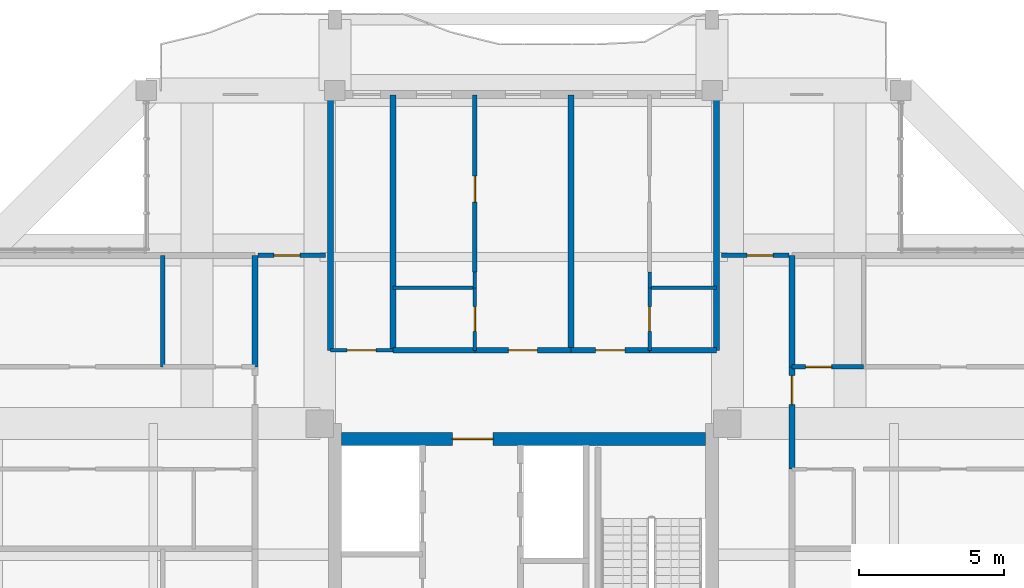
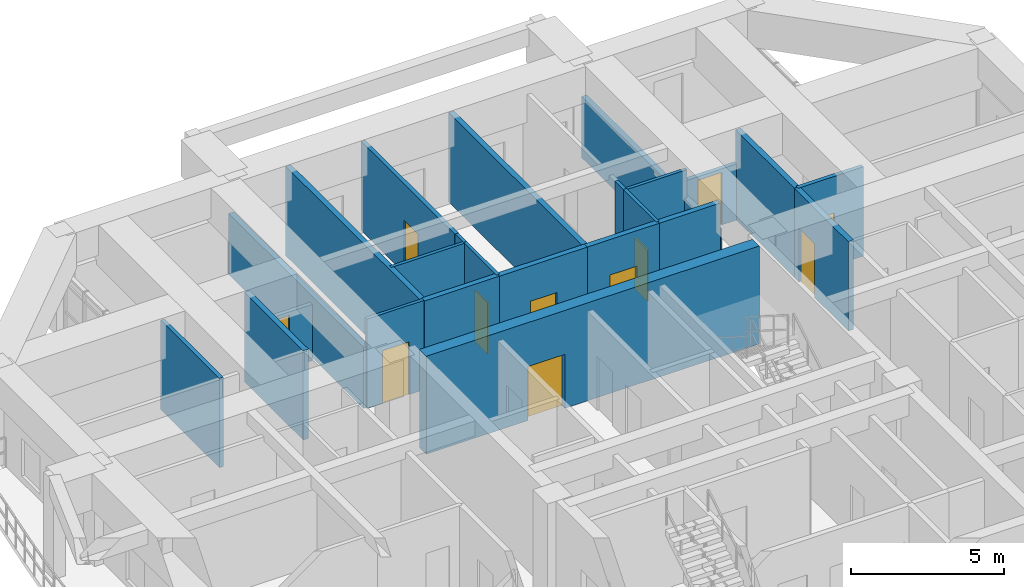
# One storey, part 15 of 22: 24 walls, 11 doors, 11 openings.
"""IFC4 building model written with IfcOpenShell, lengths in metres."""

from ifc_helpers import new_model, si_unit, direction, frame, frame_2d, origin, place, context, subcontext, project, spatial, rectangle, extrude, source, transform, mapped, material, layer, layer_set, type_object, element, fill, save


model = new_model("IFC4")

# Units and contexts
model_context = context("Model", 3, precision=1e-05, world=origin(), true_north=direction((0.0, 1.0)))
body_context = subcontext(model_context, "Body", "Model", "MODEL_VIEW")
ifc_project = project(units=[si_unit("LENGTHUNIT", "METRE"), si_unit("AREAUNIT", "SQUARE_METRE"), si_unit("VOLUMEUNIT", "CUBIC_METRE"), si_unit("PLANEANGLEUNIT", "RADIAN"), si_unit("MASSUNIT", "GRAM", prefix="KILO")], contexts=[model_context])

# Site, building, storey
site_placement = place(None, origin())
site = spatial("IfcSite", under=ifc_project, at=site_placement, CompositionType="ELEMENT")
building_placement = place(site_placement, origin())
building = spatial("IfcBuilding", under=site, at=building_placement, Name="Saelheon Loggia Tower", CompositionType="ELEMENT")
storey_placement = place(building_placement, frame((0.0, 0.0, 216.300048828125)))
storey = spatial("IfcBuildingStorey", under=building, at=storey_placement, Name="L67", CompositionType="ELEMENT", Elevation=216.300048828125)

# Wall, opening, door
ifc_material_1 = material(Name="Concrete C45/55", Category="concrete")
ifc_layer_1 = layer(ifc_material_1, 0.449951171875)
ifc_layer_set_1 = layer_set([ifc_layer_1], Name="Concrete C45/55")
wall_type_1 = type_object("IfcWallType", Name="Wall_CoreShear_450", PredefinedType="SHEAR", material=ifc_layer_set_1)
wall_1_placement = place(storey_placement, frame((31.72509765625, 36.0, 0.0), z_axis=(0.0, 0.0, 1.0), x_axis=(1.0, 0.0, 0.0)))
wall_1 = element("IfcWall", 1, at=wall_1_placement, inside=storey, type_object=wall_type_1, Name="L67 Core Shear Wall North", PredefinedType="SHEAR", context=body_context, shape_type="SweptSolid", body=[
    extrude(rectangle(XDim=12.5498046875, YDim=0.449951171875, at=frame_2d((6.27490234375, 0.0))), origin(), (0.0, 0.0, 1.0), 3.89990234375),
])
opening_1_placement = place(wall_1_placement, frame((5.224853515625, 0.0, 0.0), z_axis=(0.0, 0.0, 1.0), x_axis=(-1.0, 0.0, 0.0)))
opening_1 = element("IfcOpeningElement", 2, at=opening_1_placement, cuts=wall_1, Name="Opening D-FD2L", PredefinedType="OPENING", context=body_context, shape_type="SweptSolid", body=[
    extrude(rectangle(XDim=1.39990234375, YDim=2.14990234375, at=frame_2d((0.699951171875, 1.074951171875))), frame((0.0, 0.237060546875, 0.0), z_axis=(0.0, -1.0, 0.0), x_axis=(1.0, 0.0, 0.0)), (0.0, 0.0, 1.0), 0.473876953125),
])
ifc_material_2 = material(Name="Galvanised Steel Glazed Lobby Fire Door", Category="steel")
door_type_1 = type_object("IfcDoorType", Name="Door_Fire_FD60_1400", OperationType="NOTDEFINED", PredefinedType="DOOR", material=ifc_material_2)
shared_shape_1 = source(origin(), body_context, "Body", "SweptSolid", [
    extrude(rectangle(XDim=1.39990234375, YDim=2.14990234375, at=frame_2d((0.699951171875, 1.074951171875))), frame((0.0, 0.02490234375, 0.0), z_axis=(0.0, -1.0, 0.0), x_axis=(1.0, 0.0, 0.0)), (0.0, 0.0, 1.0), 0.050048828125),
])
door_1_placement = place(opening_1_placement, origin())
door_1 = element("IfcDoor", 3, at=door_1_placement, inside=storey, type_object=door_type_1, Name="L67 Passenger Lift Lobby Main Door", OperationType="SINGLE_SWING_RIGHT", OverallHeight=2.14990234375, OverallWidth=1.39990234375, PredefinedType="DOOR", context=body_context, shape_type="MappedRepresentation", body=[
    mapped(shared_shape_1, transform((0.0, 0.0, 0.0), scale=1.0)),
])
fill(opening_1, door_1)

ifc_material_3 = material(Name="Lightweight Autoclaved Aerated Concrete Block and Acoustic Gypsum", Category="concrete")
ifc_layer_2 = layer(ifc_material_3, 0.14990234375)
ifc_layer_set_2 = layer_set([ifc_layer_2], Name="Lightweight Autoclaved Aerated Concrete Block and Acoustic Gypsum")
wall_type_2 = type_object("IfcWallType", Name="Wall_Part_150", PredefinedType="PARTITIONING", material=ifc_layer_set_2)
wall_2_placement = place(storey_placement, frame((28.85009765625, 42.320068359375, 0.0), z_axis=(0.0, 0.0, 1.0), x_axis=(1.0, 0.0, 0.0)))
wall_2 = element("IfcWall", 4, at=wall_2_placement, inside=storey, type_object=wall_type_2, Name="PW-L67-CNW-H", PredefinedType="PARTITIONING", context=body_context, shape_type="SweptSolid", body=[
    extrude(rectangle(XDim=2.329833984375, YDim=0.14990234375, at=frame_2d((1.1650390625, 0.0))), origin(), (0.0, 0.0, 1.0), 2.239990234375),
])
opening_2_placement = place(wall_2_placement, frame((0.550048828125, 0.0, 0.0)))
opening_2 = element("IfcOpeningElement", 5, at=opening_2_placement, cuts=wall_2, Name="Opening D-IN2", PredefinedType="OPENING", context=body_context, shape_type="SweptSolid", body=[
    extrude(rectangle(XDim=0.89990234375, YDim=2.10009765625, at=frame_2d((0.449951171875, 1.050048828125))), frame((0.0, 0.0869140625, 0.0), z_axis=(0.0, -1.0, 0.0), x_axis=(1.0, 0.0, 0.0)), (0.0, 0.0, 1.0), 0.173828125),
])
ifc_material_4 = material(Name="Engineered Oak Flush Door", Category="timber")
door_type_2 = type_object("IfcDoorType", Name="Door_Int_900", OperationType="NOTDEFINED", PredefinedType="DOOR", material=ifc_material_4)
shared_shape_2 = source(origin(), body_context, "Body", "SweptSolid", [
    extrude(rectangle(XDim=0.89990234375, YDim=2.10009765625, at=frame_2d((0.449951171875, 1.050048828125))), frame((0.0, 0.02490234375, 0.0), z_axis=(0.0, -1.0, 0.0), x_axis=(1.0, 0.0, 0.0)), (0.0, 0.0, 1.0), 0.050048828125),
])
door_2_placement = place(opening_2_placement, origin())
door_2 = element("IfcDoor", 6, at=door_2_placement, inside=storey, type_object=door_type_2, Name="L67 Corner Home Office NW Door", OperationType="SINGLE_SWING_LEFT", OverallHeight=2.10009765625, OverallWidth=0.89990234375, PredefinedType="DOOR", context=body_context, shape_type="MappedRepresentation", body=[
    mapped(shared_shape_2, transform((0.0, 0.0, 0.0), scale=1.0)),
])
fill(opening_2, door_2)

wall_3_placement = place(storey_placement, frame((44.820068359375, 42.320068359375, 0.0), z_axis=(0.0, 0.0, 1.0), x_axis=(1.0, 0.0, 0.0)))
wall_3 = element("IfcWall", 7, at=wall_3_placement, inside=storey, type_object=wall_type_2, Name="PW-L67-CNE-H", PredefinedType="PARTITIONING", context=body_context, shape_type="SweptSolid", body=[
    extrude(rectangle(XDim=2.329833984375, YDim=0.14990234375, at=frame_2d((1.1650390625, 0.0))), origin(), (0.0, 0.0, 1.0), 2.239990234375),
])
opening_3_placement = place(wall_3_placement, frame((0.8798828125, 0.0, 0.0)))
opening_3 = element("IfcOpeningElement", 8, at=opening_3_placement, cuts=wall_3, Name="Opening D-IN2", PredefinedType="OPENING", context=body_context, shape_type="SweptSolid", body=[
    extrude(rectangle(XDim=0.89990234375, YDim=2.10009765625, at=frame_2d((0.449951171875, 1.050048828125))), frame((0.0, 0.0869140625, 0.0), z_axis=(0.0, -1.0, 0.0), x_axis=(1.0, 0.0, 0.0)), (0.0, 0.0, 1.0), 0.173828125),
])
door_3_placement = place(opening_3_placement, origin())
door_3 = element("IfcDoor", 9, at=door_3_placement, inside=storey, type_object=door_type_2, Name="L67 Corner Reading Room NE Door", OperationType="SINGLE_SWING_LEFT", OverallHeight=2.10009765625, OverallWidth=0.89990234375, PredefinedType="DOOR", context=body_context, shape_type="MappedRepresentation", body=[
    mapped(shared_shape_2, transform((0.0, 0.0, 0.0), scale=1.0)),
])
fill(opening_3, door_3)

wall_4_placement = place(storey_placement, frame((36.321044921875, 41.75, 0.0), z_axis=(0.0, 0.0, 1.0), x_axis=(0.0, 1.0, 0.0)))
wall_4 = element("IfcWall", 10, at=wall_4_placement, inside=storey, type_object=wall_type_2, Name="L67 N Partition U10", PredefinedType="PARTITIONING", context=body_context, shape_type="SweptSolid", body=[
    extrude(rectangle(XDim=6.10009765625, YDim=0.14990234375, at=frame_2d((3.050048828125, 0.0))), origin(), (0.0, 0.0, 1.0), 3.56005859375),
])
opening_4_placement = place(wall_4_placement, frame((2.4033203125, 0.0, 0.0)))
opening_4 = element("IfcOpeningElement", 11, at=opening_4_placement, cuts=wall_4, Name="Opening D-IN2", PredefinedType="OPENING", context=body_context, shape_type="SweptSolid", body=[
    extrude(rectangle(XDim=0.89990234375, YDim=2.10009765625, at=frame_2d((0.449951171875, 1.050048828125))), frame((0.0, 0.0869140625, 0.0), z_axis=(0.0, -1.0, 0.0), x_axis=(1.0, 0.0, 0.0)), (0.0, 0.0, 1.0), 0.173828125),
])
door_4_placement = place(opening_4_placement, origin())
door_4 = element("IfcDoor", 12, at=door_4_placement, inside=storey, type_object=door_type_2, Name="Unit U03 Kitchen Door", OperationType="SINGLE_SWING_LEFT", OverallHeight=2.10009765625, OverallWidth=0.89990234375, PredefinedType="DOOR", context=body_context, shape_type="MappedRepresentation", body=[
    mapped(shared_shape_2, transform((0.0, 0.0, 0.0), scale=1.0)),
])
fill(opening_4, door_4)

# Wall
wall_5_placement = place(storey_placement, frame((25.570068359375, 38.477783203125, 0.0), z_axis=(0.0, 0.0, 1.0), x_axis=(0.0, 1.0, 0.0)))
element("IfcWall", 13, at=wall_5_placement, inside=storey, type_object=wall_type_2, Name="L67 W Partition V29", PredefinedType="PARTITIONING", context=body_context, shape_type="SweptSolid", body=[
    extrude(rectangle(XDim=3.84228515625, YDim=0.14990234375, at=frame_2d((1.921142578125, 0.0))), origin(), (0.0, 0.0, 1.0), 3.56005859375),
])

# Wall, opening, door
wall_6_placement = place(storey_placement, frame((47.25, 38.477783203125, 0.0), z_axis=(0.0, 0.0, 1.0), x_axis=(1.0, 0.0, 0.0)))
wall_6 = element("IfcWall", 14, at=wall_6_placement, inside=storey, type_object=wall_type_2, Name="L67 E Partition U30", PredefinedType="PARTITIONING", context=body_context, shape_type="SweptSolid", body=[
    extrude(rectangle(XDim=2.4599609375, YDim=0.14990234375, at=frame_2d((1.22998046875, 0.0))), origin(), (0.0, 0.0, 1.0), 3.56005859375),
])
opening_5_placement = place(wall_6_placement, frame((0.465087890625, 0.0, 0.0)))
opening_5 = element("IfcOpeningElement", 15, at=opening_5_placement, cuts=wall_6, Name="Opening D-IN2", PredefinedType="OPENING", context=body_context, shape_type="SweptSolid", body=[
    extrude(rectangle(XDim=0.89990234375, YDim=2.10009765625, at=frame_2d((0.449951171875, 1.050048828125))), frame((0.0, 0.0869140625, 0.0), z_axis=(0.0, -1.0, 0.0), x_axis=(1.0, 0.0, 0.0)), (0.0, 0.0, 1.0), 0.173828125),
])
door_5_placement = place(opening_5_placement, origin())
door_5 = element("IfcDoor", 16, at=door_5_placement, inside=storey, type_object=door_type_2, Name="Unit U10 Dressing Closet Door", OperationType="SINGLE_SWING_LEFT", OverallHeight=2.10009765625, OverallWidth=0.89990234375, PredefinedType="DOOR", context=body_context, shape_type="MappedRepresentation", body=[
    mapped(shared_shape_2, transform((0.0, 0.0, 0.0), scale=1.0)),
])
fill(opening_5, door_5)

# Walls
ifc_material_5 = material(Name="Double Acoustic Stud and Fireboard Partition", Category="gypsum")
ifc_layer_3 = layer(ifc_material_5, 0.199951171875)
ifc_layer_set_3 = layer_set([ifc_layer_3], Name="Double Acoustic Stud and Fireboard Partition")
wall_type_3 = type_object("IfcWallType", Name="Wall_Party_200", PredefinedType="PARTITIONING", material=ifc_layer_set_3)
for number, where, z_axis, x_axis, name in (
    (17, (31.35009765625, 39.050048828125, 0.0), (0.0, 0.0, 1.0), (0.0, 1.0, 0.0), "L67 N Partition U01"),
    (18, (44.64990234375, 39.050048828125, 0.0), (0.0, 0.0, 1.0), (0.0, 1.0, 0.0), "L67 N Partition U02"),
):
    element("IfcWall", number, at=place(storey_placement, frame(where, z_axis=z_axis, x_axis=x_axis)), inside=storey, type_object=wall_type_3, Name=name, PredefinedType="PARTITIONING", context=body_context, shape_type="SweptSolid", body=[
        extrude(rectangle(XDim=8.800048828125, YDim=0.199951171875, at=frame_2d((4.39990234375, 0.0))), origin(), (0.0, 0.0, 1.0), 2.43994140625),
    ])
wall_7_placement = place(storey_placement, frame((33.5, 39.050048828125, 0.0), z_axis=(0.0, 0.0, 1.0), x_axis=(0.0, 1.0, 0.0)))
element("IfcWall", 19, at=wall_7_placement, inside=storey, type_object=wall_type_3, Name="L67 N Partition U03", PredefinedType="PARTITIONING", context=body_context, shape_type="SweptSolid", body=[
    extrude(rectangle(XDim=8.800048828125, YDim=0.199951171875, at=frame_2d((4.39990234375, 0.0))), origin(), (0.0, 0.0, 1.0), 3.56005859375),
])
wall_8_placement = place(storey_placement, frame((33.5, 39.050048828125, 0.0), z_axis=(0.0, 0.0, 1.0), x_axis=(1.0, 0.0, 0.0)))
element("IfcWall", 20, at=wall_8_placement, inside=storey, type_object=wall_type_3, Name="L67 N Partition V05", PredefinedType="PARTITIONING", context=body_context, shape_type="SweptSolid", body=[
    extrude(rectangle(XDim=2.821044921875, YDim=0.199951171875, at=frame_2d((1.41064453125, 0.0))), origin(), (0.0, 0.0, 1.0), 3.56005859375),
])

# Wall, opening, door
wall_9_placement = place(storey_placement, frame((36.321044921875, 39.050048828125, 0.0), z_axis=(0.0, 0.0, 1.0), x_axis=(1.0, 0.0, 0.0)))
wall_9 = element("IfcWall", 21, at=wall_9_placement, inside=storey, type_object=wall_type_3, Name="L67 N Partition V06", PredefinedType="PARTITIONING", context=body_context, shape_type="SweptSolid", body=[
    extrude(rectangle(XDim=3.3115234375, YDim=0.199951171875, at=frame_2d((1.65576171875, 0.0))), origin(), (0.0, 0.0, 1.0), 3.56005859375),
])
opening_6_placement = place(wall_9_placement, frame((1.15576171875, 0.0, 0.0)))
opening_6 = element("IfcOpeningElement", 22, at=opening_6_placement, cuts=wall_9, Name="Opening D-FD1", PredefinedType="OPENING", context=body_context, shape_type="SweptSolid", body=[
    extrude(rectangle(XDim=1.0, YDim=2.14990234375, at=frame_2d((0.5, 1.074951171875))), frame((0.0, 0.112060546875, 0.0), z_axis=(0.0, -1.0, 0.0), x_axis=(1.0, 0.0, 0.0)), (0.0, 0.0, 1.0), 0.223876953125),
])
ifc_material_6 = material(Name="Fire-Rated Engineered Timber Entrance Door", Category="wood")
door_type_3 = type_object("IfcDoorType", Name="Door_Flat_FD30S", OperationType="NOTDEFINED", PredefinedType="DOOR", material=ifc_material_6)
shared_shape_3 = source(origin(), body_context, "Body", "SweptSolid", [
    extrude(rectangle(XDim=1.0, YDim=2.14990234375, at=frame_2d((0.5, 1.074951171875))), frame((0.0, 0.02490234375, 0.0), z_axis=(0.0, -1.0, 0.0), x_axis=(1.0, 0.0, 0.0)), (0.0, 0.0, 1.0), 0.050048828125),
])
door_6_placement = place(opening_6_placement, origin())
door_6 = element("IfcDoor", 23, at=door_6_placement, inside=storey, type_object=door_type_3, Name="Unit U03 Entrance Door", OperationType="SINGLE_SWING_LEFT", OverallHeight=2.14990234375, OverallWidth=1.0, PredefinedType="DOOR", context=body_context, shape_type="MappedRepresentation", body=[
    mapped(shared_shape_3, transform((0.0, 0.0, 0.0), scale=1.0)),
])
fill(opening_6, door_6)

# Wall
wall_10_placement = place(storey_placement, frame((39.632568359375, 39.050048828125, 0.0), z_axis=(0.0, 0.0, 1.0), x_axis=(0.0, 1.0, 0.0)))
element("IfcWall", 24, at=wall_10_placement, inside=storey, type_object=wall_type_3, Name="L67 N Partition U11", PredefinedType="PARTITIONING", context=body_context, shape_type="SweptSolid", body=[
    extrude(rectangle(XDim=8.800048828125, YDim=0.199951171875, at=frame_2d((4.39990234375, 0.0))), origin(), (0.0, 0.0, 1.0), 3.56005859375),
])

# Wall, opening, door
wall_11_placement = place(storey_placement, frame((39.632568359375, 39.050048828125, 0.0), z_axis=(0.0, 0.0, 1.0), x_axis=(1.0, 0.0, 0.0)))
wall_11 = element("IfcWall", 25, at=wall_11_placement, inside=storey, type_object=wall_type_3, Name="L67 N Partition V12", PredefinedType="PARTITIONING", context=body_context, shape_type="SweptSolid", body=[
    extrude(rectangle(XDim=2.709228515625, YDim=0.199951171875, at=frame_2d((1.3544921875, 0.0))), origin(), (0.0, 0.0, 1.0), 3.56005859375),
])
opening_7_placement = place(wall_11_placement, frame((0.854736328125, 0.0, 0.0)))
opening_7 = element("IfcOpeningElement", 26, at=opening_7_placement, cuts=wall_11, Name="Opening D-FD1", PredefinedType="OPENING", context=body_context, shape_type="SweptSolid", body=[
    extrude(rectangle(XDim=1.0, YDim=2.14990234375, at=frame_2d((0.5, 1.074951171875))), frame((0.0, 0.112060546875, 0.0), z_axis=(0.0, -1.0, 0.0), x_axis=(1.0, 0.0, 0.0)), (0.0, 0.0, 1.0), 0.223876953125),
])
door_7_placement = place(opening_7_placement, origin())
door_7 = element("IfcDoor", 27, at=door_7_placement, inside=storey, type_object=door_type_3, Name="Unit U04 Entrance Door", OperationType="SINGLE_SWING_RIGHT", OverallHeight=2.14990234375, OverallWidth=1.0, PredefinedType="DOOR", context=body_context, shape_type="MappedRepresentation", body=[
    mapped(shared_shape_3, transform((0.0, 0.0, 0.0), scale=1.0)),
])
fill(opening_7, door_7)

# Walls
wall_12_placement = place(storey_placement, frame((42.341796875, 39.050048828125, 0.0), z_axis=(0.0, 0.0, 1.0), x_axis=(1.0, 0.0, 0.0)))
element("IfcWall", 28, at=wall_12_placement, inside=storey, type_object=wall_type_3, Name="L67 N Partition V13", PredefinedType="PARTITIONING", context=body_context, shape_type="SweptSolid", body=[
    extrude(rectangle(XDim=2.30810546875, YDim=0.199951171875, at=frame_2d((1.154052734375, 0.0))), origin(), (0.0, 0.0, 1.0), 3.56005859375),
])
wall_13_placement = place(storey_placement, frame((28.75, 38.477783203125, 0.0), z_axis=(0.0, 0.0, 1.0), x_axis=(0.0, 1.0, 0.0)))
element("IfcWall", 29, at=wall_13_placement, inside=storey, type_object=wall_type_3, Name="L67 W Partition V27", PredefinedType="PARTITIONING", context=body_context, shape_type="SweptSolid", body=[
    extrude(rectangle(XDim=3.84228515625, YDim=0.199951171875, at=frame_2d((1.921142578125, 0.0))), origin(), (0.0, 0.0, 1.0), 3.56005859375),
])

# Wall, opening, door
wall_14_placement = place(storey_placement, frame((47.25, 34.958740234375, 0.0), z_axis=(0.0, 0.0, 1.0), x_axis=(0.0, 1.0, 0.0)))
wall_14 = element("IfcWall", 30, at=wall_14_placement, inside=storey, type_object=wall_type_3, Name="L67 E Partition V24", PredefinedType="PARTITIONING", context=body_context, shape_type="SweptSolid", body=[
    extrude(rectangle(XDim=3.51904296875, YDim=0.199951171875, at=frame_2d((1.759521484375, 0.0))), origin(), (0.0, 0.0, 1.0), 3.56005859375),
])
opening_8_placement = place(wall_14_placement, frame((2.21728515625, 0.0, 0.0)))
opening_8 = element("IfcOpeningElement", 31, at=opening_8_placement, cuts=wall_14, Name="Opening D-FD1", PredefinedType="OPENING", context=body_context, shape_type="SweptSolid", body=[
    extrude(rectangle(XDim=1.0, YDim=2.14990234375, at=frame_2d((0.5, 1.074951171875))), frame((0.0, 0.112060546875, 0.0), z_axis=(0.0, -1.0, 0.0), x_axis=(1.0, 0.0, 0.0)), (0.0, 0.0, 1.0), 0.223876953125),
])
door_8_placement = place(opening_8_placement, origin())
door_8 = element("IfcDoor", 32, at=door_8_placement, inside=storey, type_object=door_type_3, Name="Unit U10 Entrance Door", OperationType="SINGLE_SWING_RIGHT", OverallHeight=2.14990234375, OverallWidth=1.0, PredefinedType="DOOR", context=body_context, shape_type="MappedRepresentation", body=[
    mapped(shared_shape_3, transform((0.0, 0.0, 0.0), scale=1.0)),
])
fill(opening_8, door_8)

# Wall
wall_15_placement = place(storey_placement, frame((47.25, 38.477783203125, 0.0), z_axis=(0.0, 0.0, 1.0), x_axis=(0.0, 1.0, 0.0)))
element("IfcWall", 33, at=wall_15_placement, inside=storey, type_object=wall_type_3, Name="L67 E Partition V25", PredefinedType="PARTITIONING", context=body_context, shape_type="SweptSolid", body=[
    extrude(rectangle(XDim=3.84228515625, YDim=0.199951171875, at=frame_2d((1.921142578125, 0.0))), origin(), (0.0, 0.0, 1.0), 3.56005859375),
])

# Wall, opening, door
ifc_material_7 = material(Name="Moisture-Resistant Cement Board Partition", Category="gypsum")
ifc_layer_4 = layer(ifc_material_7, 0.1201171875)
ifc_layer_set_4 = layer_set([ifc_layer_4], Name="Moisture-Resistant Cement Board Partition")
wall_type_4 = type_object("IfcWallType", Name="Wall_WetPart_120", PredefinedType="PARTITIONING", material=ifc_layer_set_4)
wall_16_placement = place(storey_placement, frame((31.35009765625, 39.050048828125, 0.0), z_axis=(0.0, 0.0, 1.0), x_axis=(1.0, 0.0, 0.0)))
wall_16 = element("IfcWall", 34, at=wall_16_placement, inside=storey, type_object=wall_type_4, Name="L67 N Partition V04", PredefinedType="PARTITIONING", context=body_context, shape_type="SweptSolid", body=[
    extrude(rectangle(XDim=2.14990234375, YDim=0.1201171875, at=frame_2d((1.074951171875, 0.0))), origin(), (0.0, 0.0, 1.0), 3.56005859375),
])
opening_9_placement = place(wall_16_placement, frame((0.574951171875, 0.0, 0.0)))
opening_9 = element("IfcOpeningElement", 35, at=opening_9_placement, cuts=wall_16, Name="Opening D-AC1", PredefinedType="OPENING", context=body_context, shape_type="SweptSolid", body=[
    extrude(rectangle(XDim=1.0, YDim=2.10009765625, at=frame_2d((0.5, 1.050048828125))), frame((0.0, 0.072021484375, 0.0), z_axis=(0.0, -1.0, 0.0), x_axis=(1.0, 0.0, 0.0)), (0.0, 0.0, 1.0), 0.14404296875),
])
ifc_material_8 = material(Name="Accessible Laminate Flush Door", Category="timber")
door_type_4 = type_object("IfcDoorType", Name="Door_Acc_1000", OperationType="NOTDEFINED", PredefinedType="DOOR", material=ifc_material_8)
shared_shape_4 = source(origin(), body_context, "Body", "SweptSolid", [
    extrude(rectangle(XDim=1.0, YDim=2.10009765625, at=frame_2d((0.5, 1.050048828125))), frame((0.0, 0.02490234375, 0.0), z_axis=(0.0, -1.0, 0.0), x_axis=(1.0, 0.0, 0.0)), (0.0, 0.0, 1.0), 0.050048828125),
])
door_9_placement = place(opening_9_placement, origin())
door_9 = element("IfcDoor", 36, at=door_9_placement, inside=storey, type_object=door_type_4, Name="L67 Floor Accessible WC Door", OperationType="SINGLE_SWING_RIGHT", OverallHeight=2.10009765625, OverallWidth=1.0, PredefinedType="DOOR", context=body_context, shape_type="MappedRepresentation", body=[
    mapped(shared_shape_4, transform((0.0, 0.0, 0.0), scale=1.0)),
])
fill(opening_9, door_9)

wall_17_placement = place(storey_placement, frame((36.321044921875, 39.050048828125, 0.0), z_axis=(0.0, 0.0, 1.0), x_axis=(0.0, 1.0, 0.0)))
wall_17 = element("IfcWall", 37, at=wall_17_placement, inside=storey, type_object=wall_type_4, Name="L67 N Partition U07", PredefinedType="PARTITIONING", context=body_context, shape_type="SweptSolid", body=[
    extrude(rectangle(XDim=2.14990234375, YDim=0.1201171875, at=frame_2d((1.074951171875, 0.0))), origin(), (0.0, 0.0, 1.0), 3.56005859375),
])
opening_10_placement = place(wall_17_placement, frame((0.64990234375, 0.0, 0.0)))
opening_10 = element("IfcOpeningElement", 38, at=opening_10_placement, cuts=wall_17, Name="Opening D-BT1", PredefinedType="OPENING", context=body_context, shape_type="SweptSolid", body=[
    extrude(rectangle(XDim=0.85009765625, YDim=2.050048828125, at=frame_2d((0.425048828125, 1.02490234375))), frame((0.0, 0.072021484375, 0.0), z_axis=(0.0, -1.0, 0.0), x_axis=(1.0, 0.0, 0.0)), (0.0, 0.0, 1.0), 0.14404296875),
])
ifc_material_9 = material(Name="Moisture-Resistant Laminate Timber Door", Category="wood")
door_type_5 = type_object("IfcDoorType", Name="Door_Bath_850", OperationType="NOTDEFINED", PredefinedType="DOOR", material=ifc_material_9)
shared_shape_5 = source(origin(), body_context, "Body", "SweptSolid", [
    extrude(rectangle(XDim=0.85009765625, YDim=2.050048828125, at=frame_2d((0.425048828125, 1.02490234375))), frame((0.0, 0.02490234375, 0.0), z_axis=(0.0, -1.0, 0.0), x_axis=(1.0, 0.0, 0.0)), (0.0, 0.0, 1.0), 0.050048828125),
])
door_10_placement = place(opening_10_placement, origin())
door_10 = element("IfcDoor", 39, at=door_10_placement, inside=storey, type_object=door_type_5, Name="Unit U03 Bathroom Door", OperationType="SINGLE_SWING_RIGHT", OverallHeight=2.050048828125, OverallWidth=0.85009765625, PredefinedType="DOOR", context=body_context, shape_type="MappedRepresentation", body=[
    mapped(shared_shape_5, transform((0.0, 0.0, 0.0), scale=1.0)),
])
fill(opening_10, door_10)

# Walls
wall_18_placement = place(storey_placement, frame((36.321044921875, 41.199951171875, 0.0), z_axis=(0.0, 0.0, 1.0), x_axis=(0.0, 1.0, 0.0)))
element("IfcWall", 40, at=wall_18_placement, inside=storey, type_object=wall_type_4, Name="L67 N Partition U08", PredefinedType="PARTITIONING", context=body_context, shape_type="SweptSolid", body=[
    extrude(rectangle(XDim=0.550048828125, YDim=0.1201171875, at=frame_2d((0.27490234375, 0.0))), origin(), (0.0, 0.0, 1.0), 3.56005859375),
])
wall_19_placement = place(storey_placement, frame((33.5, 41.199951171875, 0.0), z_axis=(0.0, 0.0, 1.0), x_axis=(1.0, 0.0, 0.0)))
element("IfcWall", 41, at=wall_19_placement, inside=storey, type_object=wall_type_4, Name="L67 N Partition V09", PredefinedType="PARTITIONING", context=body_context, shape_type="SweptSolid", body=[
    extrude(rectangle(XDim=2.821044921875, YDim=0.1201171875, at=frame_2d((1.41064453125, 0.0))), origin(), (0.0, 0.0, 1.0), 3.56005859375),
])

# Wall, opening, door
wall_20_placement = place(storey_placement, frame((42.341796875, 39.050048828125, 0.0), z_axis=(0.0, 0.0, 1.0), x_axis=(0.0, 1.0, 0.0)))
wall_20 = element("IfcWall", 42, at=wall_20_placement, inside=storey, type_object=wall_type_4, Name="L67 N Partition U14", PredefinedType="PARTITIONING", context=body_context, shape_type="SweptSolid", body=[
    extrude(rectangle(XDim=2.14990234375, YDim=0.1201171875, at=frame_2d((1.074951171875, 0.0))), origin(), (0.0, 0.0, 1.0), 3.56005859375),
])
opening_11_placement = place(wall_20_placement, frame((0.64990234375, 0.0, 0.0)))
opening_11 = element("IfcOpeningElement", 43, at=opening_11_placement, cuts=wall_20, Name="Opening D-BT1", PredefinedType="OPENING", context=body_context, shape_type="SweptSolid", body=[
    extrude(rectangle(XDim=0.85009765625, YDim=2.050048828125, at=frame_2d((0.425048828125, 1.02490234375))), frame((0.0, 0.072021484375, 0.0), z_axis=(0.0, -1.0, 0.0), x_axis=(1.0, 0.0, 0.0)), (0.0, 0.0, 1.0), 0.14404296875),
])
door_11_placement = place(opening_11_placement, origin())
door_11 = element("IfcDoor", 44, at=door_11_placement, inside=storey, type_object=door_type_5, Name="Unit U04 Bathroom Door", OperationType="SINGLE_SWING_LEFT", OverallHeight=2.050048828125, OverallWidth=0.85009765625, PredefinedType="DOOR", context=body_context, shape_type="MappedRepresentation", body=[
    mapped(shared_shape_5, transform((0.0, 0.0, 0.0), scale=1.0)),
])
fill(opening_11, door_11)

# Walls
wall_21_placement = place(storey_placement, frame((42.341796875, 41.199951171875, 0.0), z_axis=(0.0, 0.0, 1.0), x_axis=(0.0, 1.0, 0.0)))
element("IfcWall", 45, at=wall_21_placement, inside=storey, type_object=wall_type_4, Name="L67 N Partition U15", PredefinedType="PARTITIONING", context=body_context, shape_type="SweptSolid", body=[
    extrude(rectangle(XDim=0.550048828125, YDim=0.1201171875, at=frame_2d((0.27490234375, 0.0))), origin(), (0.0, 0.0, 1.0), 3.56005859375),
])
wall_22_placement = place(storey_placement, frame((42.341796875, 41.199951171875, 0.0), z_axis=(0.0, 0.0, 1.0), x_axis=(1.0, 0.0, 0.0)))
element("IfcWall", 46, at=wall_22_placement, inside=storey, type_object=wall_type_4, Name="L67 N Partition V16", PredefinedType="PARTITIONING", context=body_context, shape_type="SweptSolid", body=[
    extrude(rectangle(XDim=2.30810546875, YDim=0.1201171875, at=frame_2d((1.154052734375, 0.0))), origin(), (0.0, 0.0, 1.0), 3.56005859375),
])

save(model, "model.ifc")
